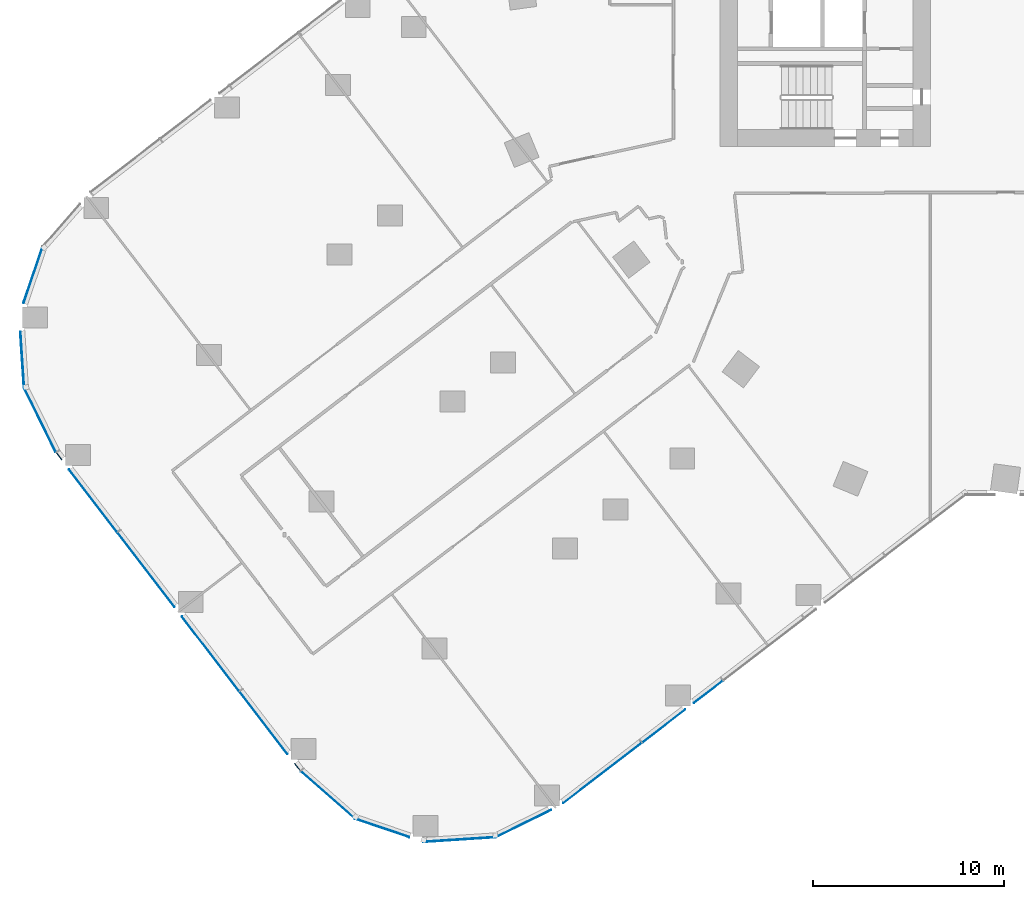
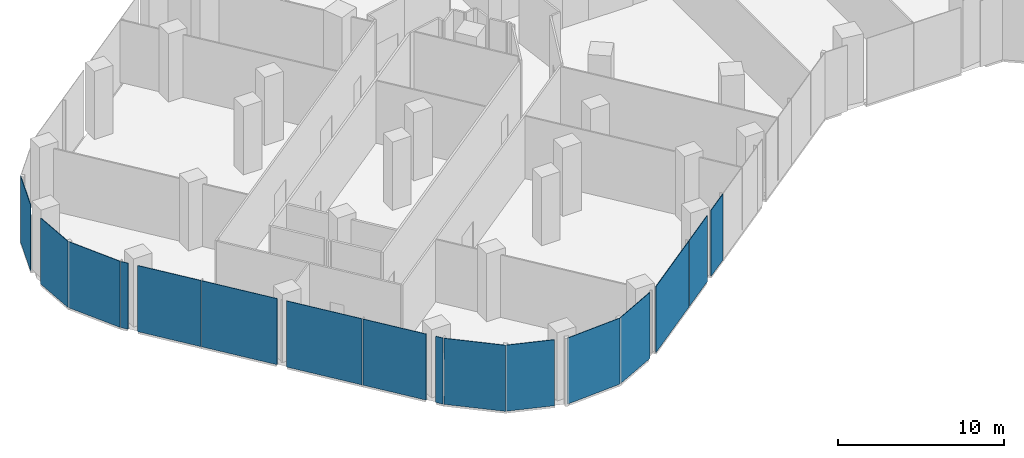
# One storey, part 14 of 29: 16 plates, 9 elements without a shape of their own.
"""IFC4 building model written with IfcOpenShell, lengths in metres."""

from ifc_helpers import new_model, si_unit, direction, frame, origin, origin_2d, place, context, subcontext, project, spatial, rectangle, extrude, material, layer, layer_set, type_object, element, aggregate, save


model = new_model("IFC4")

# Units and contexts
model_context = context("Model", 3, precision=1e-05, world=origin(), true_north=direction((0.0, 1.0)))
body_context = subcontext(model_context, "Body", "Model", "MODEL_VIEW")
ifc_project = project(units=[si_unit("LENGTHUNIT", "METRE"), si_unit("AREAUNIT", "SQUARE_METRE"), si_unit("VOLUMEUNIT", "CUBIC_METRE"), si_unit("PLANEANGLEUNIT", "RADIAN"), si_unit("MASSUNIT", "GRAM", prefix="KILO")], contexts=[model_context])

# Site, building, storey
site_placement = place(None, origin())
site = spatial("IfcSite", under=ifc_project, at=site_placement, CompositionType="ELEMENT")
building_placement = place(site_placement, origin())
building = spatial("IfcBuilding", under=site, at=building_placement, Name="Orlundy Tower", CompositionType="ELEMENT")
storey_placement = place(building_placement, frame((0.0, 0.0, 15.5)))
storey = spatial("IfcBuildingStorey", under=building, at=storey_placement, Name="L02", CompositionType="ELEMENT", Elevation=15.5)

# Curtain wall, plates
ifc_material_1 = material(Name="Aluminium bronze anodised", Category="aluminium")
curtain_wall_type = type_object("IfcCurtainWallType", Name="CW2 wall", PredefinedType="NOTDEFINED", material=ifc_material_1)
curtain_wall_1_placement = place(storey_placement, origin())
curtain_wall_1 = element("IfcCurtainWall", 1, at=curtain_wall_1_placement, inside=storey, type_object=curtain_wall_type, Name="CW2 run 02", PredefinedType="NOTDEFINED")
ifc_material_2 = material(Name="Tinted glass", Category="glass")
ifc_layer = layer(ifc_material_2, 0.0380859375)
ifc_layer_set = layer_set([ifc_layer], Name="CW2 glass panel 38")
plate_type = type_object("IfcPlateType", Name="CW2 glass panel 38", PredefinedType="CURTAIN_PANEL", material=ifc_layer_set)
plate_1_placement = place(storey_placement, frame((-19.620849609375, -40.556396484375, -0.25), z_axis=(0.0, 0.0, 1.0), x_axis=(-0.793352099111, -0.608763046543, 0.0)))
plate_1 = element("IfcPlate", 2, at=plate_1_placement, type_object=plate_type, Name="CW2 panel", PredefinedType="CURTAIN_PANEL", context=body_context, shape_type="SweptSolid", body=[
    extrude(rectangle(XDim=1.888671875, YDim=0.0380859375, at=origin_2d()), origin(), (0.0, 0.0, 1.0), 4.85009765625),
])
plate_2_placement = place(storey_placement, frame((-21.95703125, -42.34912109375, -0.25), z_axis=(0.0, 0.0, 1.0), x_axis=(-0.793352099111, -0.608763046543, 0.0)))
plate_2 = element("IfcPlate", 3, at=plate_2_placement, type_object=plate_type, Name="CW2 panel", PredefinedType="CURTAIN_PANEL", context=body_context, shape_type="SweptSolid", body=[
    extrude(rectangle(XDim=2.83544921875, YDim=0.0380859375, at=origin_2d()), origin(), (0.0, 0.0, 1.0), 4.85009765625),
])
plate_3_placement = place(storey_placement, frame((-25.171630859375, -44.815673828125, -0.25), z_axis=(0.0, 0.0, 1.0), x_axis=(-0.793352099111, -0.608763046543, 0.0)))
plate_3 = element("IfcPlate", 4, at=plate_3_placement, type_object=plate_type, Name="CW2 panel", PredefinedType="CURTAIN_PANEL", context=body_context, shape_type="SweptSolid", body=[
    extrude(rectangle(XDim=5.168701171875, YDim=0.0380859375, at=origin_2d()), origin(), (0.0, 0.0, 1.0), 4.85009765625),
])
aggregate(curtain_wall_1, [plate_1, plate_2, plate_3])

# Curtain wall, plate
curtain_wall_2_placement = place(storey_placement, origin())
curtain_wall_2 = element("IfcCurtainWall", 5, at=curtain_wall_2_placement, inside=storey, type_object=curtain_wall_type, Name="CW2 run 03", PredefinedType="NOTDEFINED")
plate_4_placement = place(storey_placement, frame((-29.3017578125, -47.455322265625, -0.25), z_axis=(0.0, 0.0, 1.0), x_axis=(-0.896841554905, -0.442351924824, 0.0)))
plate_4 = element("IfcPlate", 6, at=plate_4_placement, type_object=plate_type, Name="CW2 panel", PredefinedType="CURTAIN_PANEL", context=body_context, shape_type="SweptSolid", body=[
    extrude(rectangle(XDim=3.242919921875, YDim=0.0380859375, at=origin_2d()), origin(), (0.0, 0.0, 1.0), 4.85009765625),
])
aggregate(curtain_wall_2, [plate_4])

curtain_wall_3_placement = place(storey_placement, origin())
curtain_wall_3 = element("IfcCurtainWall", 7, at=curtain_wall_3_placement, inside=storey, type_object=curtain_wall_type, Name="CW2 run 04", PredefinedType="NOTDEFINED")
plate_5_placement = place(storey_placement, frame((-32.6513671875, -48.29638671875, -0.25), z_axis=(0.0, 0.0, 1.0), x_axis=(-0.997866755389, -0.065283523877, 0.0)))
plate_5 = element("IfcPlate", 8, at=plate_5_placement, type_object=plate_type, Name="CW2 panel", PredefinedType="CURTAIN_PANEL", context=body_context, shape_type="SweptSolid", body=[
    extrude(rectangle(XDim=3.798828125, YDim=0.0380859375, at=origin_2d()), origin(), (0.0, 0.0, 1.0), 4.85009765625),
])
aggregate(curtain_wall_3, [plate_5])

curtain_wall_4_placement = place(storey_placement, origin())
curtain_wall_4 = element("IfcCurtainWall", 9, at=curtain_wall_4_placement, inside=storey, type_object=curtain_wall_type, Name="CW2 run 05", PredefinedType="NOTDEFINED")
plate_6_placement = place(storey_placement, frame((-36.71533203125, -47.6845703125, -0.25), z_axis=(0.0, 0.0, 1.0), x_axis=(-0.946969904911, 0.32132226688, 0.0)))
plate_6 = element("IfcPlate", 10, at=plate_6_placement, type_object=plate_type, Name="CW2 panel", PredefinedType="CURTAIN_PANEL", context=body_context, shape_type="SweptSolid", body=[
    extrude(rectangle(XDim=3.016845703125, YDim=0.0380859375, at=origin_2d()), origin(), (0.0, 0.0, 1.0), 4.85009765625),
])
aggregate(curtain_wall_4, [plate_6])

curtain_wall_5_placement = place(storey_placement, origin())
curtain_wall_5 = element("IfcCurtainWall", 11, at=curtain_wall_5_placement, inside=storey, type_object=curtain_wall_type, Name="CW2 run 06", PredefinedType="NOTDEFINED")
plate_7_placement = place(storey_placement, frame((-39.5537109375, -45.963623046875, -0.25), z_axis=(0.0, 0.0, 1.0), x_axis=(-0.751857647447, 0.65932547196, 0.0)))
plate_7 = element("IfcPlate", 12, at=plate_7_placement, type_object=plate_type, Name="CW2 panel", PredefinedType="CURTAIN_PANEL", context=body_context, shape_type="SweptSolid", body=[
    extrude(rectangle(XDim=3.75048828125, YDim=0.0380859375, at=origin_2d()), origin(), (0.0, 0.0, 1.0), 4.85009765625),
])
aggregate(curtain_wall_5, [plate_7])

# Curtain wall, plates
curtain_wall_6_placement = place(storey_placement, origin())
curtain_wall_6 = element("IfcCurtainWall", 13, at=curtain_wall_6_placement, inside=storey, type_object=curtain_wall_type, Name="CW2 run 07", PredefinedType="NOTDEFINED")
plate_8_placement = place(storey_placement, frame((-41.146728515625, -44.496337890625, -0.25), z_axis=(0.0, 0.0, 1.0), x_axis=(-0.608748393046, 0.793363342967, 0.0)))
plate_8 = element("IfcPlate", 14, at=plate_8_placement, type_object=plate_type, Name="CW2 panel", PredefinedType="CURTAIN_PANEL", context=body_context, shape_type="SweptSolid", body=[
    extrude(rectangle(XDim=0.489990234375, YDim=0.0380859375, at=origin_2d()), origin(), (0.0, 0.0, 1.0), 4.85009765625),
])
plate_9_placement = place(storey_placement, frame((-42.925537109375, -42.17822265625, -0.25), z_axis=(0.0, 0.0, 1.0), x_axis=(-0.608748393046, 0.793363342967, 0.0)))
plate_9 = element("IfcPlate", 15, at=plate_9_placement, type_object=plate_type, Name="CW2 panel", PredefinedType="CURTAIN_PANEL", context=body_context, shape_type="SweptSolid", body=[
    extrude(rectangle(XDim=4.11181640625, YDim=0.0380859375, at=origin_2d()), origin(), (0.0, 0.0, 1.0), 4.85009765625),
])
plate_10_placement = place(storey_placement, frame((-45.704345703125, -38.556884765625, -0.25), z_axis=(0.0, 0.0, 1.0), x_axis=(-0.608748393046, 0.793363342967, 0.0)))
plate_10 = element("IfcPlate", 16, at=plate_10_placement, type_object=plate_type, Name="CW2 panel", PredefinedType="CURTAIN_PANEL", context=body_context, shape_type="SweptSolid", body=[
    extrude(rectangle(XDim=4.917724609375, YDim=0.0380859375, at=origin_2d()), origin(), (0.0, 0.0, 1.0), 4.85009765625),
])
plate_11_placement = place(storey_placement, frame((-49.073974609375, -34.1650390625, -0.25), z_axis=(0.0, 0.0, 1.0), x_axis=(-0.608748393046, 0.793363342967, 0.0)))
plate_11 = element("IfcPlate", 17, at=plate_11_placement, type_object=plate_type, Name="CW2 panel", PredefinedType="CURTAIN_PANEL", context=body_context, shape_type="SweptSolid", body=[
    extrude(rectangle(XDim=4.911865234375, YDim=0.0380859375, at=origin_2d()), origin(), (0.0, 0.0, 1.0), 4.85009765625),
])
plate_12_placement = place(storey_placement, frame((-51.8525390625, -30.5439453125, -0.25), z_axis=(0.0, 0.0, 1.0), x_axis=(-0.608748393046, 0.793363342967, 0.0)))
plate_12 = element("IfcPlate", 18, at=plate_12_placement, type_object=plate_type, Name="CW2 panel", PredefinedType="CURTAIN_PANEL", context=body_context, shape_type="SweptSolid", body=[
    extrude(rectangle(XDim=4.11669921875, YDim=0.0380859375, at=origin_2d()), origin(), (0.0, 0.0, 1.0), 4.85009765625),
])
plate_13_placement = place(storey_placement, frame((-53.630859375, -28.226318359375, -0.25), z_axis=(0.0, 0.0, 1.0), x_axis=(-0.608748393046, 0.793363342967, 0.0)))
plate_13 = element("IfcPlate", 19, at=plate_13_placement, type_object=plate_type, Name="CW2 panel", PredefinedType="CURTAIN_PANEL", context=body_context, shape_type="SweptSolid", body=[
    extrude(rectangle(XDim=0.48583984375, YDim=0.0380859375, at=origin_2d()), origin(), (0.0, 0.0, 1.0), 4.85009765625),
])
aggregate(curtain_wall_6, [plate_8, plate_9, plate_10, plate_11, plate_12, plate_13])

# Curtain wall, plate
curtain_wall_7_placement = place(storey_placement, origin())
curtain_wall_7 = element("IfcCurtainWall", 20, at=curtain_wall_7_placement, inside=storey, type_object=curtain_wall_type, Name="CW2 run 08", PredefinedType="NOTDEFINED")
plate_14_placement = place(storey_placement, frame((-54.63427734375, -26.3095703125, -0.25), z_axis=(0.0, 0.0, 1.0), x_axis=(-0.442241939743, 0.896895794801, 0.0)))
plate_14 = element("IfcPlate", 21, at=plate_14_placement, type_object=plate_type, Name="CW2 panel", PredefinedType="CURTAIN_PANEL", context=body_context, shape_type="SweptSolid", body=[
    extrude(rectangle(XDim=3.749755859375, YDim=0.0380859375, at=origin_2d()), origin(), (0.0, 0.0, 1.0), 4.85009765625),
])
aggregate(curtain_wall_7, [plate_14])

curtain_wall_8_placement = place(storey_placement, origin())
curtain_wall_8 = element("IfcCurtainWall", 22, at=curtain_wall_8_placement, inside=storey, type_object=curtain_wall_type, Name="CW2 run 09", PredefinedType="NOTDEFINED")
plate_15_placement = place(storey_placement, frame((-55.559326171875, -23.161865234375, -0.25), z_axis=(0.0, 0.0, 1.0), x_axis=(-0.065283523877, 0.997866755389, 0.0)))
plate_15 = element("IfcPlate", 23, at=plate_15_placement, type_object=plate_type, Name="CW2 panel", PredefinedType="CURTAIN_PANEL", context=body_context, shape_type="SweptSolid", body=[
    extrude(rectangle(XDim=2.938232421875, YDim=0.0380859375, at=origin_2d()), origin(), (0.0, 0.0, 1.0), 4.85009765625),
])
aggregate(curtain_wall_8, [plate_15])

curtain_wall_9_placement = place(storey_placement, origin())
curtain_wall_9 = element("IfcCurtainWall", 24, at=curtain_wall_9_placement, inside=storey, type_object=curtain_wall_type, Name="CW2 run 010", PredefinedType="NOTDEFINED")
plate_16_placement = place(storey_placement, frame((-54.992431640625, -18.718017578125, -0.25), z_axis=(0.0, 0.0, 1.0), x_axis=(0.32132226688, 0.946969904911, 0.0)))
plate_16 = element("IfcPlate", 25, at=plate_16_placement, type_object=plate_type, Name="CW2 panel", PredefinedType="CURTAIN_PANEL", context=body_context, shape_type="SweptSolid", body=[
    extrude(rectangle(XDim=3.121337890625, YDim=0.0380859375, at=origin_2d()), origin(), (0.0, 0.0, 1.0), 4.85009765625),
])
aggregate(curtain_wall_9, [plate_16])

save(model, "model.ifc")
